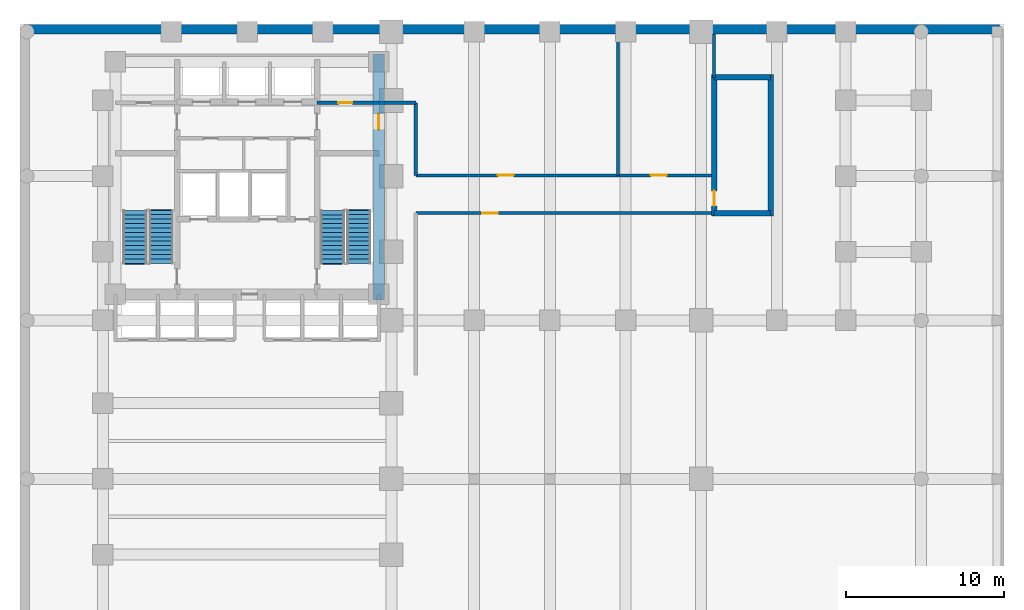
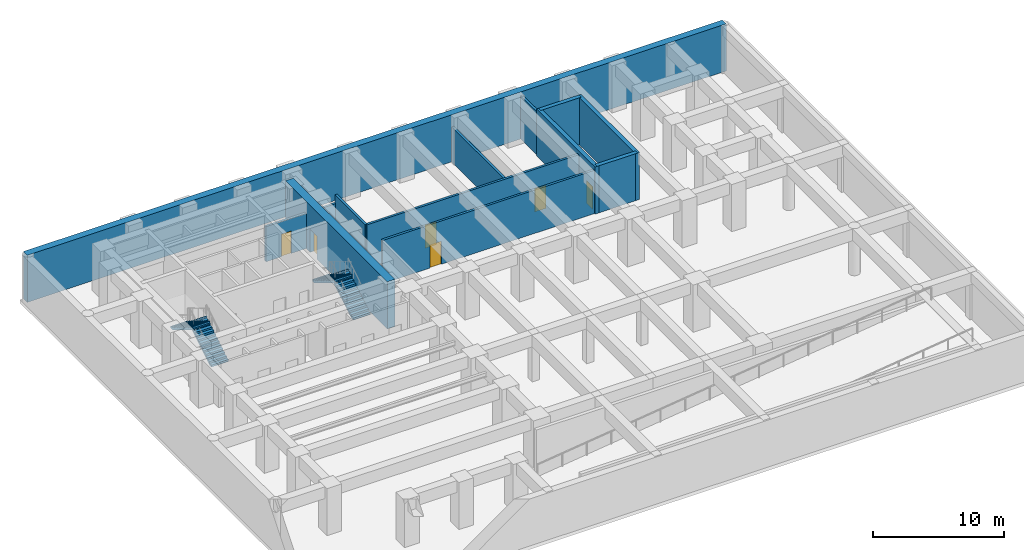
# One storey, part 4 of 6: 13 walls, 6 doors, 4 stair flights, 6 openings, 2 elements without a shape of their own.
"""IFC4 building model written with IfcOpenShell, lengths in metres."""

from ifc_helpers import new_model, si_unit, direction, frame, frame_2d, origin, place, context, subcontext, project, spatial, polyline, rectangle, outline, extrude, material, layer, layer_set, type_object, element, fill, aggregate, save


model = new_model("IFC4")

# Units and contexts
model_context = context("Model", 3, precision=1e-05, world=origin(), true_north=direction((0.0, 1.0)))
body_context = subcontext(model_context, "Body", "Model", "MODEL_VIEW")
ifc_project = project(units=[si_unit("LENGTHUNIT", "METRE"), si_unit("AREAUNIT", "SQUARE_METRE"), si_unit("VOLUMEUNIT", "CUBIC_METRE"), si_unit("PLANEANGLEUNIT", "RADIAN"), si_unit("MASSUNIT", "GRAM", prefix="KILO")], contexts=[model_context])

# Site, building, storey
site_placement = place(None, origin())
site = spatial("IfcSite", under=ifc_project, at=site_placement, CompositionType="ELEMENT")
building_placement = place(site_placement, origin())
building = spatial("IfcBuilding", under=site, at=building_placement, Name="Orvandelia Arch Residences", CompositionType="ELEMENT")
storey_placement = place(building_placement, frame((0.0, 0.0, -4.39990234375)))
storey = spatial("IfcBuildingStorey", under=building, at=storey_placement, Name="B1", CompositionType="ELEMENT", Elevation=-4.39990234375)

# Wall, opening, door
ifc_material_1 = material(Name="Concrete C50/60", Category="concrete")
ifc_layer_1 = layer(ifc_material_1, 0.35009765625, Name="Concrete C50/60", Category="concrete")
ifc_layer_set_1 = layer_set([ifc_layer_1], Name="Concrete C50/60")
wall_type_1 = type_object("IfcWallType", Name="WL-CORE-350", PredefinedType="SHEAR", material=ifc_layer_set_1)
wall_1_placement = place(storey_placement, frame((44.02001953125, 35.864990234375, 0.0), z_axis=(0.0, 0.0, 1.0), x_axis=(0.0, 1.0, 0.0)))
wall_1 = element("IfcWall", 1, at=wall_1_placement, inside=storey, type_object=wall_type_1, Name="East Stair Core Shear Wall B1-W", PredefinedType="SHEAR", context=body_context, shape_type="SweptSolid", body=[
    extrude(rectangle(XDim=8.969970703125, YDim=0.35009765625, at=frame_2d((4.48486328125, 0.0))), origin(), (0.0, 0.0, 1.0), 4.39990234375),
])
opening_1_placement = place(wall_1_placement, frame((0.64990234375, 0.0, 0.0)))
opening_1 = element("IfcOpeningElement", 2, at=opening_1_placement, cuts=wall_1, Name="Opening D7", PredefinedType="OPENING", context=body_context, shape_type="SweptSolid", body=[
    extrude(rectangle(XDim=0.949951171875, YDim=2.10009765625, at=frame_2d((0.47509765625, 1.050048828125))), frame((0.0, 0.18505859375, 0.0), z_axis=(0.0, -1.0, 0.0), x_axis=(1.0, 0.0, 0.0)), (0.0, 0.0, 1.0), 0.3701171875),
])
ifc_material_2 = material(Name="Pressurised Stairwell Fire Door")
door_type_1 = type_object("IfcDoorType", Name="DR-STAIR-950", OperationType="NOTDEFINED", PredefinedType="DOOR", material=ifc_material_2)
door_1_placement = place(opening_1_placement, origin())
door_1 = element("IfcDoor", 3, at=door_1_placement, inside=storey, type_object=door_type_1, Name="East Stairwell ST-3 Fire Door B1", OperationType="SINGLE_SWING_LEFT", OverallHeight=2.10009765625, OverallWidth=0.949951171875, PredefinedType="DOOR", context=body_context, shape_type="SweptSolid", body=[
    extrude(rectangle(XDim=0.949951171875, YDim=2.10009765625, at=frame_2d((0.47509765625, 1.050048828125))), frame((0.0, 0.02490234375, 0.0), z_axis=(0.0, -1.0, 0.0), x_axis=(1.0, 0.0, 0.0)), (0.0, 0.0, 1.0), 0.050048828125),
])
fill(opening_1, door_1)

# Walls
wall_2_placement = place(storey_placement, frame((47.60009765625, 35.864990234375, 0.0), z_axis=(0.0, 0.0, 1.0), x_axis=(0.0, 1.0, 0.0)))
element("IfcWall", 4, at=wall_2_placement, inside=storey, type_object=wall_type_1, Name="East Stair Core Shear Wall B1-E", PredefinedType="SHEAR", context=body_context, shape_type="SweptSolid", body=[
    extrude(rectangle(XDim=8.969970703125, YDim=0.35009765625, at=frame_2d((4.48486328125, 0.0))), origin(), (0.0, 0.0, 1.0), 4.39990234375),
])
for number, where, z_axis, x_axis, name in (
    (5, (44.02001953125, 36.0400390625, 0.0), (0.0, 0.0, 1.0), (1.0, 0.0, 0.0), "East Stair Core Shear Wall B1-S"),
    (6, (44.02001953125, 44.659912109375, 0.0), (0.0, 0.0, 1.0), (1.0, 0.0, 0.0), "East Stair Core Shear Wall B1-N"),
):
    element("IfcWall", number, at=place(storey_placement, frame(where, z_axis=z_axis, x_axis=x_axis)), inside=storey, type_object=wall_type_1, Name=name, PredefinedType="SHEAR", context=body_context, shape_type="SweptSolid", body=[
        extrude(rectangle(XDim=3.580078125, YDim=0.35009765625, at=frame_2d((1.7900390625, 0.0))), origin(), (0.0, 0.0, 1.0), 4.39990234375),
    ])

# Wall, opening, door
ifc_material_3 = material(Name="Concrete C80/95", Category="concrete")
ifc_layer_2 = layer(ifc_material_3, 0.699951171875, Name="Concrete C80/95", Category="concrete")
ifc_layer_set_2 = layer_set([ifc_layer_2], Name="Concrete C80/95")
wall_type_2 = type_object("IfcWallType", Name="WL-CORE-700", PredefinedType="SHEAR", material=ifc_layer_set_2)
wall_3_placement = place(storey_placement, frame((22.75, 30.550048828125, 0.0), z_axis=(0.0, 0.0, 1.0), x_axis=(0.0, 1.0, 0.0)))
wall_3 = element("IfcWall", 7, at=wall_3_placement, inside=storey, type_object=wall_type_2, Name="Core Shear Wall B1-E", PredefinedType="SHEAR", context=body_context, shape_type="SweptSolid", body=[
    extrude(rectangle(XDim=15.599853515625, YDim=0.699951171875, at=frame_2d((7.7998046875, 0.0))), origin(), (0.0, 0.0, 1.0), 4.39990234375),
])
opening_2_placement = place(wall_3_placement, frame((10.800048828125, 0.0, 0.0)))
opening_2 = element("IfcOpeningElement", 8, at=opening_2_placement, cuts=wall_3, Name="Opening D6", PredefinedType="OPENING", context=body_context, shape_type="SweptSolid", body=[
    extrude(rectangle(XDim=1.0, YDim=2.14990234375, at=frame_2d((0.5, 1.074951171875))), frame((0.0, 0.35986328125, 0.0), z_axis=(0.0, -1.0, 0.0), x_axis=(1.0, 0.0, 0.0)), (0.0, 0.0, 1.0), 0.719970703125),
])
ifc_material_4 = material(Name="Smokeproof Painted Steel Fire Door", Category="steel")
door_type_2 = type_object("IfcDoorType", Name="DR-FD60-1000", OperationType="NOTDEFINED", PredefinedType="DOOR", material=ifc_material_4)
door_2_placement = place(opening_2_placement, origin())
door_2 = element("IfcDoor", 9, at=door_2_placement, inside=storey, type_object=door_type_2, Name="Core East Corridor Link Door B1", OperationType="SINGLE_SWING_LEFT", OverallHeight=2.14990234375, OverallWidth=1.0, PredefinedType="DOOR", context=body_context, shape_type="SweptSolid", body=[
    extrude(rectangle(XDim=1.0, YDim=2.14990234375, at=frame_2d((0.5, 1.074951171875))), frame((0.0, 0.02490234375, 0.0), z_axis=(0.0, -1.0, 0.0), x_axis=(1.0, 0.0, 0.0)), (0.0, 0.0, 1.0), 0.050048828125),
])
fill(opening_2, door_2)

ifc_material_5 = material(Name="Fire-Rated Corridor Partition")
ifc_layer_3 = layer(ifc_material_5, 0.199951171875, Name="Fire-Rated Corridor Partition")
ifc_layer_set_3 = layer_set([ifc_layer_3], Name="Fire-Rated Corridor Partition")
wall_type_3 = type_object("IfcWallType", Name="WL-CORR-200", PredefinedType="PARTITIONING", material=ifc_layer_set_3)
wall_4_placement = place(storey_placement, frame((25.10009765625, 36.050048828125, 0.0), z_axis=(0.0, 0.0, 1.0), x_axis=(1.0, 0.0, 0.0)))
wall_4 = element("IfcWall", 10, at=wall_4_placement, inside=storey, type_object=wall_type_3, Name="Interior Partition Wall WL-B1-BC-S", PredefinedType="PARTITIONING", context=body_context, shape_type="SweptSolid", body=[
    extrude(rectangle(XDim=18.919921875, YDim=0.199951171875, at=frame_2d((9.4599609375, 0.0))), origin(), (0.0, 0.0, 1.0), 4.0498046875),
])
opening_3_placement = place(wall_4_placement, frame((4.199951171875, 0.0, 0.0)))
opening_3 = element("IfcOpeningElement", 11, at=opening_3_placement, cuts=wall_4, Name="Opening D6", PredefinedType="OPENING", context=body_context, shape_type="SweptSolid", body=[
    extrude(rectangle(XDim=1.0, YDim=2.14990234375, at=frame_2d((0.5, 1.074951171875))), frame((0.0, 0.10986328125, 0.0), z_axis=(0.0, -1.0, 0.0), x_axis=(1.0, 0.0, 0.0)), (0.0, 0.0, 1.0), 0.219970703125),
])
door_3_placement = place(opening_3_placement, origin())
door_3 = element("IfcDoor", 12, at=door_3_placement, inside=storey, type_object=door_type_2, Name="DR-B1-BCPRK", OperationType="SINGLE_SWING_LEFT", OverallHeight=2.14990234375, OverallWidth=1.0, PredefinedType="DOOR", context=body_context, shape_type="SweptSolid", body=[
    extrude(rectangle(XDim=1.0, YDim=2.14990234375, at=frame_2d((0.5, 1.074951171875))), frame((0.0, 0.02490234375, 0.0), z_axis=(0.0, -1.0, 0.0), x_axis=(1.0, 0.0, 0.0)), (0.0, 0.0, 1.0), 0.050048828125),
])
fill(opening_3, door_3)

# Wall, openings, doors
wall_5_placement = place(storey_placement, frame((25.10009765625, 38.449951171875, 0.0), z_axis=(0.0, 0.0, 1.0), x_axis=(1.0, 0.0, 0.0)))
wall_5 = element("IfcWall", 13, at=wall_5_placement, inside=storey, type_object=wall_type_3, Name="Interior Partition Wall WL-B1-BC-N", PredefinedType="PARTITIONING", context=body_context, shape_type="SweptSolid", body=[
    extrude(rectangle(XDim=18.919921875, YDim=0.199951171875, at=frame_2d((9.4599609375, 0.0))), origin(), (0.0, 0.0, 1.0), 4.0498046875),
])
opening_4_placement = place(wall_5_placement, frame((5.199951171875, 0.0, 0.0)))
opening_4 = element("IfcOpeningElement", 14, at=opening_4_placement, cuts=wall_5, Name="Opening D6", PredefinedType="OPENING", context=body_context, shape_type="SweptSolid", body=[
    extrude(rectangle(XDim=1.0, YDim=2.14990234375, at=frame_2d((0.5, 1.074951171875))), frame((0.0, 0.10986328125, 0.0), z_axis=(0.0, -1.0, 0.0), x_axis=(1.0, 0.0, 0.0)), (0.0, 0.0, 1.0), 0.219970703125),
])
opening_5_placement = place(wall_5_placement, frame((14.89990234375, 0.0, 0.0)))
opening_5 = element("IfcOpeningElement", 15, at=opening_5_placement, cuts=wall_5, Name="Opening D6", PredefinedType="OPENING", context=body_context, shape_type="SweptSolid", body=[
    extrude(rectangle(XDim=1.0, YDim=2.14990234375, at=frame_2d((0.5, 1.074951171875))), frame((0.0, 0.10986328125, 0.0), z_axis=(0.0, -1.0, 0.0), x_axis=(1.0, 0.0, 0.0)), (0.0, 0.0, 1.0), 0.219970703125),
])
door_4_placement = place(opening_4_placement, origin())
door_4 = element("IfcDoor", 16, at=door_4_placement, inside=storey, type_object=door_type_2, Name="DR-B1-BPLT1", OperationType="SINGLE_SWING_LEFT", OverallHeight=2.14990234375, OverallWidth=1.0, PredefinedType="DOOR", context=body_context, shape_type="SweptSolid", body=[
    extrude(rectangle(XDim=1.0, YDim=2.14990234375, at=frame_2d((0.5, 1.074951171875))), frame((0.0, 0.02490234375, 0.0), z_axis=(0.0, -1.0, 0.0), x_axis=(1.0, 0.0, 0.0)), (0.0, 0.0, 1.0), 0.050048828125),
])
fill(opening_4, door_4)
door_5_placement = place(opening_5_placement, origin())
door_5 = element("IfcDoor", 17, at=door_5_placement, inside=storey, type_object=door_type_2, Name="DR-B1-BPLT2", OperationType="SINGLE_SWING_RIGHT", OverallHeight=2.14990234375, OverallWidth=1.0, PredefinedType="DOOR", context=body_context, shape_type="SweptSolid", body=[
    extrude(rectangle(XDim=1.0, YDim=2.14990234375, at=frame_2d((0.5, 1.074951171875))), frame((0.0, 0.02490234375, 0.0), z_axis=(0.0, -1.0, 0.0), x_axis=(1.0, 0.0, 0.0)), (0.0, 0.0, 1.0), 0.050048828125),
])
fill(opening_5, door_5)

# Walls
wall_6_placement = place(storey_placement, frame((25.10009765625, 38.449951171875, 0.0), z_axis=(0.0, 0.0, 1.0), x_axis=(0.0, 1.0, 0.0)))
element("IfcWall", 18, at=wall_6_placement, inside=storey, type_object=wall_type_3, Name="Interior Partition Wall WL-B1-BC-E2", PredefinedType="PARTITIONING", context=body_context, shape_type="SweptSolid", body=[
    extrude(rectangle(XDim=4.60009765625, YDim=0.199951171875, at=frame_2d((2.300048828125, 0.0))), origin(), (0.0, 0.0, 1.0), 4.0498046875),
])
wall_7_placement = place(storey_placement, frame((22.75, 43.050048828125, 0.0), z_axis=(0.0, 0.0, 1.0), x_axis=(1.0, 0.0, 0.0)))
element("IfcWall", 19, at=wall_7_placement, inside=storey, type_object=wall_type_3, Name="Interior Partition Wall WL-B1-BC-NT", PredefinedType="PARTITIONING", context=body_context, shape_type="SweptSolid", body=[
    extrude(rectangle(XDim=2.35009765625, YDim=0.199951171875, at=frame_2d((1.175048828125, 0.0))), origin(), (0.0, 0.0, 1.0), 3.27978515625),
])
wall_8_placement = place(storey_placement, frame((37.919921875, 38.449951171875, 0.0), z_axis=(0.0, 0.0, 1.0), x_axis=(0.0, 1.0, 0.0)))
element("IfcWall", 20, at=wall_8_placement, inside=storey, type_object=wall_type_3, Name="Interior Partition Wall WL-B1-BPLT-M", PredefinedType="PARTITIONING", context=body_context, shape_type="SweptSolid", body=[
    extrude(rectangle(XDim=8.949951171875, YDim=0.199951171875, at=frame_2d((4.47509765625, 0.0))), origin(), (0.0, 0.0, 1.0), 3.27978515625),
])
wall_9_placement = place(storey_placement, frame((44.02001953125, 44.659912109375, 0.0), z_axis=(0.0, 0.0, 1.0), x_axis=(0.0, 1.0, 0.0)))
element("IfcWall", 21, at=wall_9_placement, inside=storey, type_object=wall_type_3, Name="Interior Partition Wall WL-B1-BPLT-E", PredefinedType="PARTITIONING", context=body_context, shape_type="SweptSolid", body=[
    extrude(rectangle(XDim=2.739990234375, YDim=0.199951171875, at=frame_2d((1.3701171875, 0.0))), origin(), (0.0, 0.0, 1.0), 4.0498046875),
])
ifc_layer_4 = layer(ifc_material_1, 0.60009765625, Name="Concrete C50/60", Category="concrete")
ifc_layer_set_4 = layer_set([ifc_layer_4], Name="Concrete C50/60")
wall_type_4 = type_object("IfcWallType", Name="WL-RET-600", PredefinedType="USERDEFINED", material=ifc_layer_set_4)
wall_10_placement = place(storey_placement, frame((62.10009765625, 47.699951171875, 0.0), z_axis=(0.0, 0.0, 1.0), x_axis=(-1.0, 0.0, 0.0)))
element("IfcWall", 22, at=wall_10_placement, inside=storey, type_object=wall_type_4, Name="Basement Diaphragm Retaining Wall B1-N", ObjectType="RETAININGWALL", PredefinedType="USERDEFINED", context=body_context, shape_type="SweptSolid", body=[
    extrude(rectangle(XDim=61.800048828125, YDim=0.60009765625, at=frame_2d((30.89990234375, 0.0))), origin(), (0.0, 0.0, 1.0), 4.39990234375),
])

# Wall, opening, door
ifc_material_6 = material(Name="Fire-Rated Shaft Enclosure Wall")
ifc_layer_5 = layer(ifc_material_6, 0.199951171875, Name="Fire-Rated Shaft Enclosure Wall")
ifc_layer_set_5 = layer_set([ifc_layer_5], Name="Fire-Rated Shaft Enclosure Wall")
wall_type_5 = type_object("IfcWallType", Name="WL-SHAFT-200", PredefinedType="POLYGONAL", material=ifc_layer_set_5)
wall_11_placement = place(storey_placement, frame((18.840087890625, 43.050048828125, 0.0), z_axis=(0.0, 0.0, 1.0), x_axis=(1.0, 0.0, 0.0)))
wall_11 = element("IfcWall", 23, at=wall_11_placement, inside=storey, type_object=wall_type_5, Name="Interior Partition Wall WL-B1-HLE-N", PredefinedType="POLYGONAL", context=body_context, shape_type="SweptSolid", body=[
    extrude(rectangle(XDim=3.909912109375, YDim=0.199951171875, at=frame_2d((1.955078125, 0.0))), origin(), (0.0, 0.0, 1.0), 3.27978515625),
])
opening_6_placement = place(wall_11_placement, frame((1.35009765625, 0.0, 0.0)))
opening_6 = element("IfcOpeningElement", 24, at=opening_6_placement, cuts=wall_11, Name="Opening D5", PredefinedType="OPENING", context=body_context, shape_type="SweptSolid", body=[
    extrude(rectangle(XDim=0.8798828125, YDim=2.10009765625, at=frame_2d((0.43994140625, 1.050048828125))), frame((0.0, 0.10986328125, 0.0), z_axis=(0.0, -1.0, 0.0), x_axis=(1.0, 0.0, 0.0)), (0.0, 0.0, 1.0), 0.219970703125),
])
ifc_material_7 = material(Name="Painted Galvanised Steel Service Door", Category="steel")
door_type_3 = type_object("IfcDoorType", Name="DR-SRV-880", OperationType="NOTDEFINED", PredefinedType="DOOR", material=ifc_material_7)
door_6_placement = place(opening_6_placement, origin())
door_6 = element("IfcDoor", 25, at=door_6_placement, inside=storey, type_object=door_type_3, Name="DR-B1-CSB1", OperationType="SINGLE_SWING_LEFT", OverallHeight=2.10009765625, OverallWidth=0.8798828125, PredefinedType="DOOR", context=body_context, shape_type="SweptSolid", body=[
    extrude(rectangle(XDim=0.8798828125, YDim=2.10009765625, at=frame_2d((0.43994140625, 1.050048828125))), frame((0.0, 0.02490234375, 0.0), z_axis=(0.0, -1.0, 0.0), x_axis=(1.0, 0.0, 0.0)), (0.0, 0.0, 1.0), 0.050048828125),
])
fill(opening_6, door_6)

# Stair, stair flights
ifc_material_8 = material(Name="Concrete C40/50", Category="concrete")
stair_type = type_object("IfcStairType", Name="STAIR-RC-DOGLEG", PredefinedType="HALF_TURN_STAIR", material=ifc_material_8)
stair_1_placement = place(storey_placement, origin())
stair_1 = element("IfcStair", 26, at=stair_1_placement, inside=storey, type_object=stair_type, Name="B1 Protected Exit Stair ST-1", PredefinedType="HALF_TURN_STAIR")
stair_flight_type = type_object("IfcStairFlightType", Name="STFLT-RC-1520", PredefinedType="STRAIGHT", material=ifc_material_8)
stair_flight_1_placement = place(storey_placement, frame((8.9599609375, 32.8701171875, 0.0), z_axis=(0.0, 0.0, 1.0), x_axis=(0.0, 1.0, 0.0)))
stair_flight_1 = element("IfcStairFlight", 27, at=stair_flight_1_placement, type_object=stair_flight_type, Name="ST-1 flight 1", NumberOfRisers=13, NumberOfTreads=12, PredefinedType="STRAIGHT", RiserHeight=0.169230769, TreadLength=0.28, context=body_context, shape_type="SweptSolid", body=[
    extrude(outline(polyline([(0.0, 0.0), (0.0, 0.169189453125), (0.280029296875, 0.169189453125), (0.280029296875, 0.33837890625), (0.56005859375, 0.33837890625), (0.56005859375, 0.5078125), (0.840087890625, 0.5078125), (0.840087890625, 0.677001953125), (1.1201171875, 0.677001953125), (1.1201171875, 0.84619140625), (1.39990234375, 0.84619140625), (1.39990234375, 1.015380859375), (1.679931640625, 1.015380859375), (1.679931640625, 1.1845703125), (1.9599609375, 1.1845703125), (1.9599609375, 1.353759765625), (2.239990234375, 1.353759765625), (2.239990234375, 1.523193359375), (2.52001953125, 1.523193359375), (2.52001953125, 1.6923828125), (2.800048828125, 1.6923828125), (2.800048828125, 1.861572265625), (3.080078125, 1.861572265625), (3.080078125, 2.03076171875), (3.360107421875, 2.03076171875), (3.360107421875, 2.199951171875), (3.419921875, 2.199951171875), (3.419921875, 2.02001953125), (3.360107421875, 1.855712890625), (0.289794921875, 0.0), (0.0, 0.0)])), frame((0.0, 0.760009765625, 0.0), z_axis=(0.0, -1.0, 0.0), x_axis=(1.0, 0.0, 0.0)), (0.0, 0.0, 1.0), 1.52001953125),
])
stair_flight_2_placement = place(storey_placement, frame((7.2900390625, 36.22998046875, 2.199951171875), z_axis=(0.0, 0.0, 1.0), x_axis=(0.0, -1.0, 0.0)))
stair_flight_2 = element("IfcStairFlight", 28, at=stair_flight_2_placement, type_object=stair_flight_type, Name="ST-1 flight 2", NumberOfRisers=13, NumberOfTreads=12, PredefinedType="STRAIGHT", RiserHeight=0.169230769, TreadLength=0.28, context=body_context, shape_type="SweptSolid", body=[
    extrude(outline(polyline([(0.0, 0.0), (0.0, 0.169189453125), (0.280029296875, 0.169189453125), (0.280029296875, 0.33837890625), (0.56005859375, 0.33837890625), (0.56005859375, 0.5078125), (0.840087890625, 0.5078125), (0.840087890625, 0.677001953125), (1.1201171875, 0.677001953125), (1.1201171875, 0.84619140625), (1.39990234375, 0.84619140625), (1.39990234375, 1.015380859375), (1.679931640625, 1.015380859375), (1.679931640625, 1.1845703125), (1.9599609375, 1.1845703125), (1.9599609375, 1.353759765625), (2.239990234375, 1.353759765625), (2.239990234375, 1.523193359375), (2.52001953125, 1.523193359375), (2.52001953125, 1.6923828125), (2.800048828125, 1.6923828125), (2.800048828125, 1.861572265625), (3.080078125, 1.861572265625), (3.080078125, 2.03076171875), (3.360107421875, 2.03076171875), (3.360107421875, 2.199951171875), (3.419921875, 2.199951171875), (3.419921875, 2.02001953125), (3.360107421875, 1.855712890625), (0.289794921875, 0.0), (0.0, 0.0)])), frame((0.0, 0.760009765625, 0.0), z_axis=(0.0, -1.0, 0.0), x_axis=(1.0, 0.0, 0.0)), (0.0, 0.0, 1.0), 1.52001953125),
])
aggregate(stair_1, [stair_flight_1, stair_flight_2])

stair_2_placement = place(storey_placement, origin())
stair_2 = element("IfcStair", 29, at=stair_2_placement, inside=storey, type_object=stair_type, Name="B1 Protected Exit Stair ST-2", PredefinedType="HALF_TURN_STAIR")
stair_flight_3_placement = place(storey_placement, frame((21.489990234375, 32.8701171875, 0.0), z_axis=(0.0, 0.0, 1.0), x_axis=(0.0, 1.0, 0.0)))
stair_flight_3 = element("IfcStairFlight", 30, at=stair_flight_3_placement, type_object=stair_flight_type, Name="ST-2 flight 1", NumberOfRisers=13, NumberOfTreads=12, PredefinedType="STRAIGHT", RiserHeight=0.169230769, TreadLength=0.28, context=body_context, shape_type="SweptSolid", body=[
    extrude(outline(polyline([(0.0, 0.0), (0.0, 0.169189453125), (0.280029296875, 0.169189453125), (0.280029296875, 0.33837890625), (0.56005859375, 0.33837890625), (0.56005859375, 0.5078125), (0.840087890625, 0.5078125), (0.840087890625, 0.677001953125), (1.1201171875, 0.677001953125), (1.1201171875, 0.84619140625), (1.39990234375, 0.84619140625), (1.39990234375, 1.015380859375), (1.679931640625, 1.015380859375), (1.679931640625, 1.1845703125), (1.9599609375, 1.1845703125), (1.9599609375, 1.353759765625), (2.239990234375, 1.353759765625), (2.239990234375, 1.523193359375), (2.52001953125, 1.523193359375), (2.52001953125, 1.6923828125), (2.800048828125, 1.6923828125), (2.800048828125, 1.861572265625), (3.080078125, 1.861572265625), (3.080078125, 2.03076171875), (3.360107421875, 2.03076171875), (3.360107421875, 2.199951171875), (3.419921875, 2.199951171875), (3.419921875, 2.02001953125), (3.360107421875, 1.855712890625), (0.289794921875, 0.0), (0.0, 0.0)])), frame((0.0, 0.760009765625, 0.0), z_axis=(0.0, -1.0, 0.0), x_axis=(1.0, 0.0, 0.0)), (0.0, 0.0, 1.0), 1.52001953125),
])
stair_flight_4_placement = place(storey_placement, frame((19.820068359375, 36.22998046875, 2.199951171875), z_axis=(0.0, 0.0, 1.0), x_axis=(0.0, -1.0, 0.0)))
stair_flight_4 = element("IfcStairFlight", 31, at=stair_flight_4_placement, type_object=stair_flight_type, Name="ST-2 flight 2", NumberOfRisers=13, NumberOfTreads=12, PredefinedType="STRAIGHT", RiserHeight=0.169230769, TreadLength=0.28, context=body_context, shape_type="SweptSolid", body=[
    extrude(outline(polyline([(0.0, 0.0), (0.0, 0.169189453125), (0.280029296875, 0.169189453125), (0.280029296875, 0.33837890625), (0.56005859375, 0.33837890625), (0.56005859375, 0.5078125), (0.840087890625, 0.5078125), (0.840087890625, 0.677001953125), (1.1201171875, 0.677001953125), (1.1201171875, 0.84619140625), (1.39990234375, 0.84619140625), (1.39990234375, 1.015380859375), (1.679931640625, 1.015380859375), (1.679931640625, 1.1845703125), (1.9599609375, 1.1845703125), (1.9599609375, 1.353759765625), (2.239990234375, 1.353759765625), (2.239990234375, 1.523193359375), (2.52001953125, 1.523193359375), (2.52001953125, 1.6923828125), (2.800048828125, 1.6923828125), (2.800048828125, 1.861572265625), (3.080078125, 1.861572265625), (3.080078125, 2.03076171875), (3.360107421875, 2.03076171875), (3.360107421875, 2.199951171875), (3.419921875, 2.199951171875), (3.419921875, 2.02001953125), (3.360107421875, 1.855712890625), (0.289794921875, 0.0), (0.0, 0.0)])), frame((0.0, 0.760009765625, 0.0), z_axis=(0.0, -1.0, 0.0), x_axis=(1.0, 0.0, 0.0)), (0.0, 0.0, 1.0), 1.52001953125),
])
aggregate(stair_2, [stair_flight_3, stair_flight_4])

save(model, "model.ifc")
